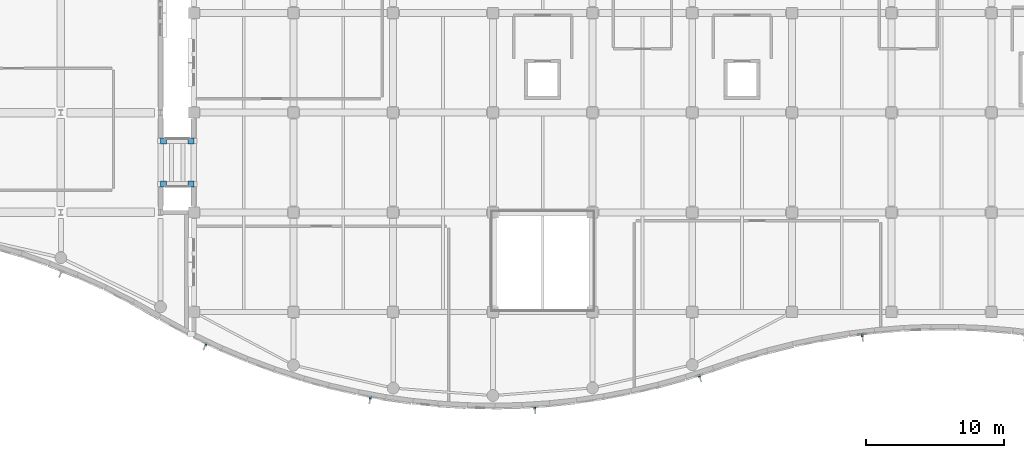
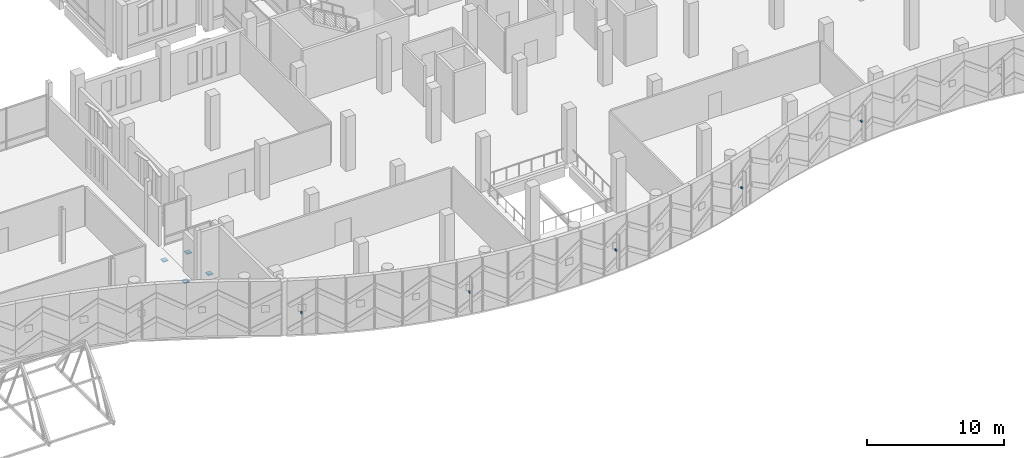
# One storey, part 179 of 220: 9 discrete accessories.
"""IFC4 building model written with IfcOpenShell, lengths in metres."""

from ifc_helpers import new_model, si_unit, direction, frame, origin, origin_2d, place, context, subcontext, project, spatial, rectangle, extrude, material, type_object, element, save


model = new_model("IFC4")

# Units and contexts
model_context = context("Model", 3, precision=1e-05, world=origin(), true_north=direction((0.0, 1.0)))
body_context = subcontext(model_context, "Body", "Model", "MODEL_VIEW")
ifc_project = project(units=[si_unit("LENGTHUNIT", "METRE"), si_unit("AREAUNIT", "SQUARE_METRE"), si_unit("VOLUMEUNIT", "CUBIC_METRE"), si_unit("PLANEANGLEUNIT", "RADIAN"), si_unit("MASSUNIT", "GRAM", prefix="KILO")], contexts=[model_context])

# Site, building, storey
site_placement = place(None, origin())
site = spatial("IfcSite", under=ifc_project, at=site_placement, CompositionType="ELEMENT")
building_placement = place(site_placement, origin())
building = spatial("IfcBuilding", under=site, at=building_placement, Name="Cendralis Lancet Convention Centre", CompositionType="ELEMENT")
storey_placement = place(building_placement, frame((0.0, 0.0, 5.39990234375)))
storey = spatial("IfcBuildingStorey", under=building, at=storey_placement, Name="L01", CompositionType="ELEMENT", Elevation=5.39990234375)

# Discrete accessories
ifc_material_1 = material(Name="Steel S355", Category="steel")
discrete_accessory_type_1 = type_object("IfcDiscreteAccessoryType", Name="ARC-BRK-FIN", PredefinedType="BRACKET", material=ifc_material_1)
for number, where, z_axis, x_axis, name in (
    (1, (132.873046875, 4.858154296875, 1.93017578125), (0.0, 0.0, 1.0), (0.903507405674, -0.428572476825, 0.0), "Facade Fin Bracket BK-FIN #023"),
    (2, (144.75244140625, 1.009521484375, 1.93017578125), (0.0, 0.0, 1.0), (0.983175298719, -0.182664534019, 0.0), "Facade Fin Bracket BK-FIN #025"),
    (3, (156.632080078125, 0.298583984375, 1.93017578125), (0.0, 0.0, 1.0), (0.997959312839, 0.063853033741, 0.0), "Facade Fin Bracket BK-FIN #027"),
    (4, (168.510986328125, 2.578857421875, 1.93017578125), (0.0, 0.0, 1.0), (0.950737803638, 0.309996175353, 0.0), "Facade Fin Bracket BK-FIN #029"),
    (5, (180.2783203125, 5.5185546875, 1.93017578125), (0.0, 0.0, 1.0), (0.992471520713, 0.122475632571, 0.0), "Facade Fin Bracket BK-FIN #031"),
):
    element("IfcDiscreteAccessory", number, at=place(storey_placement, frame(where, z_axis=z_axis, x_axis=x_axis)), inside=storey, type_object=discrete_accessory_type_1, Name=name, PredefinedType="BRACKET", context=body_context, shape_type="SweptSolid", body=[
        extrude(rectangle(XDim=0.139892578125, YDim=0.219970703125, at=origin_2d()), origin(), (0.0, 0.0, 1.0), 0.139892578125),
    ])
ifc_material_2 = material(Name="Elastomeric-PTFE sliding bridge bearing")
discrete_accessory_type_2 = type_object("IfcDiscreteAccessoryType", Name="STR-BRG-PTFE", PredefinedType="SHOE", material=ifc_material_2)
for number, where, z_axis, x_axis, name in (
    (6, (129.81005859375, 16.449951171875, -1.199951171875), (0.0, 0.0, 1.0), (1.0, 0.0, 0.0), "Unguided PTFE Sliding Bridge Bearing SB-PTFE #033"),
    (7, (131.7900390625, 16.449951171875, -1.199951171875), (0.0, 0.0, 1.0), (1.0, 0.0, 0.0), "Unguided PTFE Sliding Bridge Bearing SB-PTFE #034"),
    (8, (129.81005859375, 19.550048828125, -1.199951171875), (0.0, 0.0, 1.0), (1.0, 0.0, 0.0), "Unguided PTFE Sliding Bridge Bearing SB-PTFE #035"),
    (9, (131.7900390625, 19.550048828125, -1.199951171875), (0.0, 0.0, 1.0), (1.0, 0.0, 0.0), "Unguided PTFE Sliding Bridge Bearing SB-PTFE #036"),
):
    element("IfcDiscreteAccessory", number, at=place(storey_placement, frame(where, z_axis=z_axis, x_axis=x_axis)), inside=storey, type_object=discrete_accessory_type_2, Name=name, PredefinedType="SHOE", context=body_context, shape_type="SweptSolid", body=[
        extrude(rectangle(XDim=0.419921875, YDim=0.419921875, at=origin_2d()), origin(), (0.0, 0.0, 1.0), 0.080078125),
    ])

save(model, "model.ifc")
